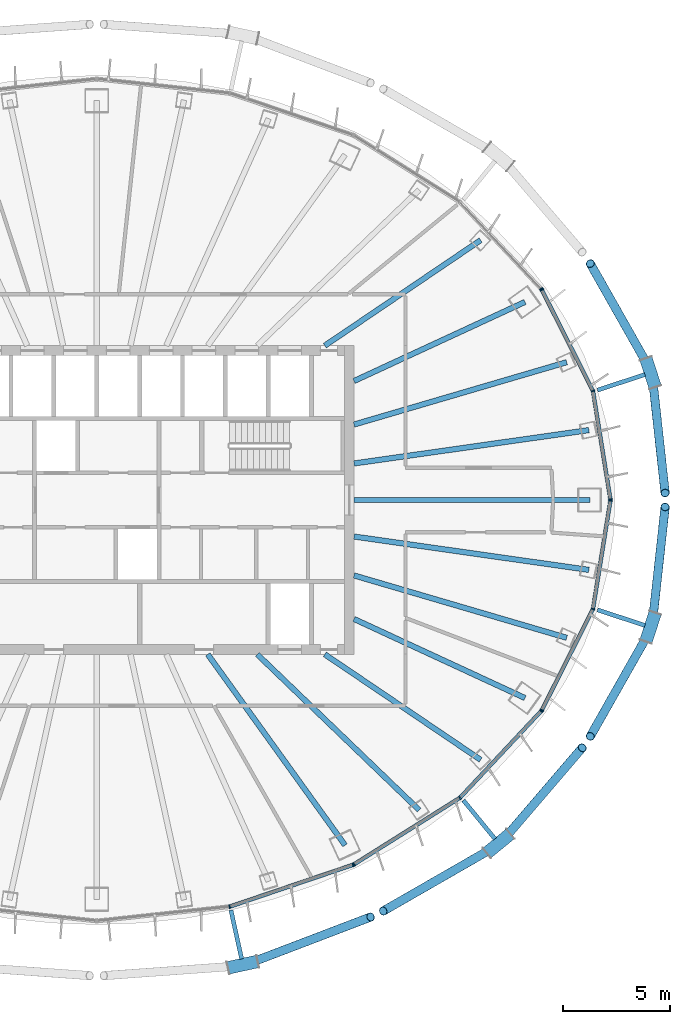
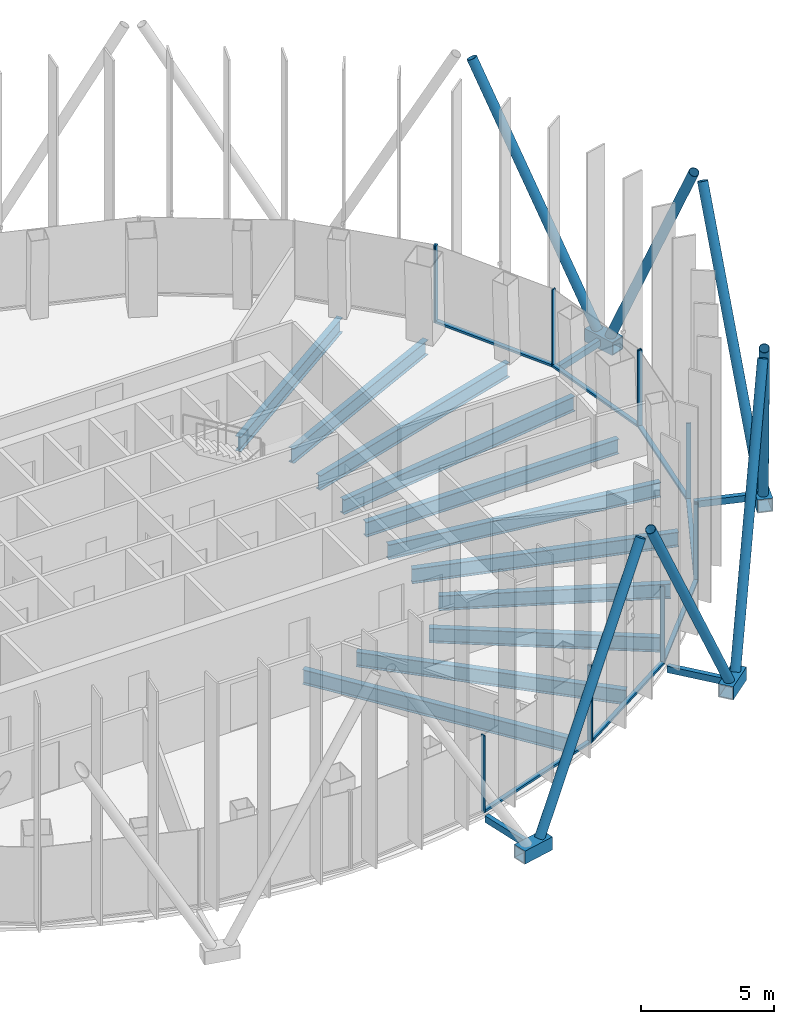
# One storey, part 5 of 18: 34 members, 11 beams, 5 elements without a shape of their own.
"""IFC4 building model written with IfcOpenShell, lengths in metres."""

import ifcopenshell
import ifcopenshell.guid

model = None  # the IFC model being written
_history = None  # IfcOwnerHistory: only IFC2X3 demands one
_inside = {}  # id of a spatial element -> (the spatial element, [elements in it])
_under = {}  # id of a project, library or spatial element -> (it, [spatial elements below it])
_declared = {}  # id of a project -> (the project, [libraries it declares])
_typed = {}  # id of a type object -> (the type object, [elements of that type])
_made_of = {}  # id of a material, layer set ... -> (it, [elements and type objects made of it])


def new_model(schema):
    """Start an empty IFC model of exactly this schema.

    Asked for "IFC4X3", IfcOpenShell would pick the latest addendum, in which some entities
    have other attributes; the version numbers below select the first issue.
    IFC2X3 requires an IfcOwnerHistory on every rooted entity: one is made here for all.
    """
    global model, _history
    if schema == "IFC4X3":
        model = ifcopenshell.file(schema_version=(4, 3, 0, 0))
    else:
        model = ifcopenshell.file(schema=schema)
    _inside.clear()
    _under.clear()
    _declared.clear()
    _typed.clear()
    _made_of.clear()
    _history = None
    if model.schema == "IFC2X3":
        org = make("IfcOrganization", Name="unknown")
        user = make(
            "IfcPersonAndOrganization",
            ThePerson=make("IfcPerson", FamilyName="unknown"),
            TheOrganization=org,
        )
        app = make(
            "IfcApplication",
            ApplicationDeveloper=org,
            Version="unknown",
            ApplicationFullName="unknown",
            ApplicationIdentifier="unknown",
        )
        _history = make(
            "IfcOwnerHistory",
            OwningUser=user,
            OwningApplication=app,
            ChangeAction="ADDED",
            CreationDate=0,
        )
    return model


def make(cls, **values):
    """One entity of the class cls with the attributes given. An attribute that is None is left unset."""
    return model.create_entity(
        cls, **{name: value for name, value in values.items() if value is not None}
    )


def rooted(cls, **values):
    """An entity with a GlobalId (a new one), such as an element, a storey or a relation."""
    return make(cls, GlobalId=ifcopenshell.guid.new(), OwnerHistory=_history, **values)


def si_unit(unit_type, name, prefix=None):
    """IfcSIUnit, for example si_unit("LENGTHUNIT", "METRE", prefix="MILLI")."""
    return make("IfcSIUnit", UnitType=unit_type, Prefix=prefix, Name=name)


def assignment(units):
    """IfcUnitAssignment: the units of a project."""
    return None if units is None else make("IfcUnitAssignment", Units=units)


def point(xyz):
    """IfcCartesianPoint."""
    return None if xyz is None else make("IfcCartesianPoint", Coordinates=xyz)


def direction(xyz):
    """IfcDirection."""
    return None if xyz is None else make("IfcDirection", DirectionRatios=xyz)


def frame(location, z_axis=None, x_axis=None):
    """IfcAxis2Placement3D, a coordinate frame: its origin and axes. An axis left out is left unset."""
    return make(
        "IfcAxis2Placement3D",
        Location=point(location),
        Axis=direction(z_axis),
        RefDirection=direction(x_axis),
    )


def frame_2d(location, x_axis=None):
    """IfcAxis2Placement2D, a coordinate frame in the plane: its origin and x axis."""
    return make(
        "IfcAxis2Placement2D", Location=point(location), RefDirection=direction(x_axis)
    )


def origin():
    """The frame at (0, 0, 0) with its axes left unset."""
    return frame((0.0, 0.0, 0.0))


def origin_2d():
    """The frame at (0, 0) in the plane with its x axis left unset."""
    return frame_2d((0.0, 0.0))


def place(relative_to, where):
    """IfcLocalPlacement: puts the frame where relative to a parent placement (None: the world)."""
    return make(
        "IfcLocalPlacement", PlacementRelTo=relative_to, RelativePlacement=where
    )


def context(
    kind, dimensions, precision=None, world=None, true_north=None, identifier=None
):
    """IfcGeometricRepresentationContext, for example the 3D "Model" context."""
    return make(
        "IfcGeometricRepresentationContext",
        ContextIdentifier=identifier,
        ContextType=kind,
        CoordinateSpaceDimension=dimensions,
        Precision=precision,
        WorldCoordinateSystem=world,
        TrueNorth=true_north,
    )


def subcontext(parent, identifier, kind, view, scale=None):
    """IfcGeometricRepresentationSubContext, for example "Body" below "Model"."""
    return make(
        "IfcGeometricRepresentationSubContext",
        ContextIdentifier=identifier,
        ContextType=kind,
        ParentContext=parent,
        TargetScale=scale,
        TargetView=view,
    )


def project(units=None, contexts=None):
    """IfcProject with its units and contexts."""
    return rooted(
        "IfcProject",
        Name="project",
        RepresentationContexts=contexts,
        UnitsInContext=assignment(units),
    )


def spatial(cls, under=None, at=None, **own):
    """A site, building, storey or space (cls), placed at a placement, below another one or the project."""
    s = rooted(cls, ObjectPlacement=at, **own)
    if under is not None:
        _under.setdefault(under.id(), (under, []))[1].append(s)
    return s


def profile(cls, at=None, kind="AREA", **sizes):
    """A parametric profile (cls). Its sizes go by their IFC names, for example OverallWidth=200.0."""
    return make(cls, ProfileType=kind, Position=at, **sizes)


def rectangle(**sizes):
    """IfcRectangleProfileDef."""
    return profile("IfcRectangleProfileDef", **sizes)


def hollow_rectangle(**sizes):
    """IfcRectangleHollowProfileDef."""
    return profile("IfcRectangleHollowProfileDef", **sizes)


def hollow_circle(**sizes):
    """IfcCircleHollowProfileDef."""
    return profile("IfcCircleHollowProfileDef", **sizes)


def i_section(**sizes):
    """IfcIShapeProfileDef."""
    return profile("IfcIShapeProfileDef", **sizes)


def extrude(swept, where, along, depth):
    """IfcExtrudedAreaSolid: the profile swept, set in the frame where, extruded along a direction by depth."""
    return make(
        "IfcExtrudedAreaSolid",
        SweptArea=swept,
        Position=where,
        ExtrudedDirection=direction(along),
        Depth=depth,
    )


def shape(context_of_items, identifier, shape_type, items):
    """IfcShapeRepresentation: the items that make up one representation, for example the "Body"."""
    return make(
        "IfcShapeRepresentation",
        ContextOfItems=context_of_items,
        RepresentationIdentifier=identifier,
        RepresentationType=shape_type,
        Items=items,
    )


def material(Name=None, Category=None):
    """IfcMaterial."""
    return make("IfcMaterial", Name=Name, Category=Category)


def layer(
    of_material, thickness, ventilated=None, Name=None, Category=None, Priority=None
):
    """IfcMaterialLayer: one layer of a wall or slab, of a material (None: an air gap)."""
    return make(
        "IfcMaterialLayer",
        Material=of_material,
        LayerThickness=thickness,
        IsVentilated=ventilated,
        Name=Name,
        Category=Category,
        Priority=Priority,
    )


def layer_set(layers, Name=None):
    """IfcMaterialLayerSet."""
    return make("IfcMaterialLayerSet", MaterialLayers=layers, LayerSetName=Name)


def material_profile(
    of_material, cross_section, Name=None, Category=None, Priority=None
):
    """IfcMaterialProfile: a cross section and its material."""
    return make(
        "IfcMaterialProfile",
        Name=Name,
        Material=of_material,
        Profile=cross_section,
        Priority=Priority,
        Category=Category,
    )


def profile_set(profiles, Name=None, composite=None):
    """IfcMaterialProfileSet."""
    return make(
        "IfcMaterialProfileSet",
        Name=Name,
        MaterialProfiles=profiles,
        CompositeProfile=composite,
    )


def made_of(thing, what):
    """Note that an element or type object is made of a material, layer set ...; save() writes the relation."""
    if what is not None:
        _made_of.setdefault(what.id(), (what, []))[1].append(thing)
    return thing


def type_object(cls, material=None, **own):
    """A type object (cls), such as IfcWallType, which elements share."""
    return made_of(rooted(cls, **own), material)


def element(
    cls,
    number,
    at=None,
    inside=None,
    cuts=None,
    type_object=None,
    material=None,
    context=None,
    identifier="Body",
    shape_type=None,
    held_by="IfcProductDefinitionShape",
    body=None,
    shapes=None,
    **own,
):
    """One element of the class cls, such as IfcWall. Its Tag is "e" and its number.

    at: its placement. inside: the storey or other place that contains it. cuts: it is an
    opening in that element (IfcRelVoidsElement). A single representation is given by context,
    identifier, shape_type and body (its items); several are given by shapes. held_by: the class
    of the entity that holds the representations. save() writes the other relations.
    """
    e = rooted(cls, Tag="e%d" % number, ObjectPlacement=at, **own)
    if body is not None:
        shapes = [shape(context, identifier, shape_type, body)]
    if shapes is not None:
        e.Representation = make(held_by, Representations=shapes)
    if inside is not None:
        _inside.setdefault(inside.id(), (inside, []))[1].append(e)
    if cuts is not None:
        rooted(
            "IfcRelVoidsElement", RelatingBuildingElement=cuts, RelatedOpeningElement=e
        )
    if type_object is not None:
        _typed.setdefault(type_object.id(), (type_object, []))[1].append(e)
    return made_of(e, material)


def aggregate(whole, parts):
    """IfcRelAggregates: a whole, such as a stair, and the parts it consists of."""
    return rooted("IfcRelAggregates", RelatingObject=whole, RelatedObjects=parts)


def save(model, path):
    """Write the relations noted so far, then the file.

    IfcRelAggregates (storeys below a building ...), IfcRelContainedInSpatialStructure (elements
    in a storey), IfcRelDefinesByType, IfcRelAssociatesMaterial and IfcRelDeclares: one each for
    every whole, place, type object, material and project.
    """
    for whole, parts in _under.values():
        aggregate(whole, parts)
    for where, things in _inside.values():
        rooted(
            "IfcRelContainedInSpatialStructure",
            RelatedElements=things,
            RelatingStructure=where,
        )
    for kind, things in _typed.values():
        rooted("IfcRelDefinesByType", RelatedObjects=things, RelatingType=kind)
    for what, things in _made_of.values():
        rooted("IfcRelAssociatesMaterial", RelatedObjects=things, RelatingMaterial=what)
    for by, libraries in _declared.values():
        rooted("IfcRelDeclares", RelatingContext=by, RelatedDefinitions=libraries)
    model.write(path)


model = new_model("IFC4")

# Units and contexts
model_context = context("Model", 3, precision=1e-05, world=origin(), true_north=direction((0.0, 1.0)))
body_context = subcontext(model_context, "Body", "Model", "MODEL_VIEW")
ifc_project = project(units=[si_unit("LENGTHUNIT", "METRE"), si_unit("AREAUNIT", "SQUARE_METRE"), si_unit("VOLUMEUNIT", "CUBIC_METRE"), si_unit("PLANEANGLEUNIT", "RADIAN"), si_unit("MASSUNIT", "GRAM", prefix="KILO")], contexts=[model_context])

# Site, building, storey
site_placement = place(None, origin())
site = spatial("IfcSite", under=ifc_project, at=site_placement, CompositionType="ELEMENT")
building_placement = place(site_placement, origin())
building = spatial("IfcBuilding", under=site, at=building_placement, Name="Siaravel Broadcast Tower", CompositionType="ELEMENT")
storey_placement = place(building_placement, frame((0.0, 0.0, 157.10009765625)))
storey = spatial("IfcBuildingStorey", under=building, at=storey_placement, Name="L37", CompositionType="ELEMENT", Elevation=157.10009765625)

# Beams
ifc_material_1 = material(Name="Steel S355", Category="steel")
ifc_material_profile_1 = material_profile(ifc_material_1, i_section(OverallWidth=0.2529296875, OverallDepth=0.677978515625, WebThickness=0.01171875, FlangeThickness=0.01611328125, FilletRadius=0.01513671875, at=origin_2d()))
ifc_profile_set_1 = profile_set([ifc_material_profile_1], Name="Steel S355")
beam_type = type_object("IfcBeamType", Name="BM-UB 686x254x125", PredefinedType="BEAM", material=ifc_profile_set_1)
beam_1_placement = place(storey_placement, frame((23.0048828125, 0.0, -0.489013671875), z_axis=(-1.0, 0.0, 0.0), x_axis=(0.0, -1.0, 0.0)))
element("IfcBeam", 1, at=beam_1_placement, inside=storey, type_object=beam_type, Name="Radial beam RB01", PredefinedType="BEAM", context=body_context, shape_type="SweptSolid", body=[
    extrude(i_section(OverallWidth=0.2529296875, OverallDepth=0.677978515625, WebThickness=0.01171875, FlangeThickness=0.01611328125, FilletRadius=0.01513671875, at=origin_2d()), origin(), (0.0, 0.0, 1.0), 11.0048828125),
])
beam_2_placement = place(storey_placement, frame((22.95654296875, 3.26025390625, -0.489013671875), z_axis=(-0.990063886, -0.140618281, 0.0), x_axis=(0.140618281, -0.990063886, 0.0)))
element("IfcBeam", 2, at=beam_2_placement, inside=storey, type_object=beam_type, Name="Radial beam RB02", PredefinedType="BEAM", context=body_context, shape_type="SweptSolid", body=[
    extrude(i_section(OverallWidth=0.2529296875, OverallDepth=0.677978515625, WebThickness=0.01171875, FlangeThickness=0.01611328125, FilletRadius=0.01513671875, at=origin_2d()), origin(), (0.0, 0.0, 1.0), 11.06640625),
])
beam_3_placement = place(storey_placement, frame((21.920166015625, 6.42822265625, -0.489013671875), z_axis=(-0.9595882, -0.281408043, 0.0), x_axis=(0.281408043, -0.9595882, 0.0)))
element("IfcBeam", 3, at=beam_3_placement, inside=storey, type_object=beam_type, Name="Radial beam RB03", PredefinedType="BEAM", context=body_context, shape_type="SweptSolid", body=[
    extrude(i_section(OverallWidth=0.2529296875, OverallDepth=0.677978515625, WebThickness=0.01171875, FlangeThickness=0.01611328125, FilletRadius=0.01513671875, at=origin_2d()), origin(), (0.0, 0.0, 1.0), 10.337890625),
])
beam_4_placement = place(storey_placement, frame((19.976318359375, 9.238525390625, -0.489013671875), z_axis=(-0.907641197, -0.419746896, 0.0), x_axis=(0.419746896, -0.907641197, 0.0)))
element("IfcBeam", 4, at=beam_4_placement, inside=storey, type_object=beam_type, Name="Radial beam RB04", PredefinedType="BEAM", context=body_context, shape_type="SweptSolid", body=[
    extrude(i_section(OverallWidth=0.2529296875, OverallDepth=0.677978515625, WebThickness=0.01171875, FlangeThickness=0.01611328125, FilletRadius=0.01513671875, at=origin_2d()), origin(), (0.0, 0.0, 1.0), 8.7880859375),
])
beam_5_placement = place(storey_placement, frame((17.906494140625, 12.119140625, -0.489013671875), z_axis=(-0.82815695, -0.560496268, 0.0), x_axis=(0.560496268, -0.82815695, 0.0)))
element("IfcBeam", 5, at=beam_5_placement, inside=storey, type_object=beam_type, Name="Radial beam RB05", PredefinedType="BEAM", context=body_context, shape_type="SweptSolid", body=[
    extrude(i_section(OverallWidth=0.2529296875, OverallDepth=0.677978515625, WebThickness=0.01171875, FlangeThickness=0.01611328125, FilletRadius=0.01513671875, at=origin_2d()), origin(), (0.0, 0.0, 1.0), 8.7763671875),
])
beam_6_placement = place(storey_placement, frame((11.582275390625, -16.10498046875, -0.489013671875), z_axis=(-0.58386488, 0.81185085, 0.0), x_axis=(-0.81185085, -0.58386488, 0.0)))
element("IfcBeam", 6, at=beam_6_placement, inside=storey, type_object=beam_type, Name="Radial beam RB31", PredefinedType="BEAM", context=body_context, shape_type="SweptSolid", body=[
    extrude(i_section(OverallWidth=0.2529296875, OverallDepth=0.677978515625, WebThickness=0.01171875, FlangeThickness=0.01611328125, FilletRadius=0.01513671875, at=origin_2d()), origin(), (0.0, 0.0, 1.0), 10.96875),
])
beam_7_placement = place(storey_placement, frame((15.041259765625, -14.466064453125, -0.489013671875), z_axis=(-0.720749365, 0.693195754, 0.0), x_axis=(-0.693195754, -0.720749365, 0.0)))
element("IfcBeam", 7, at=beam_7_placement, inside=storey, type_object=beam_type, Name="Radial beam RB32", PredefinedType="BEAM", context=body_context, shape_type="SweptSolid", body=[
    extrude(i_section(OverallWidth=0.2529296875, OverallDepth=0.677978515625, WebThickness=0.01171875, FlangeThickness=0.01611328125, FilletRadius=0.01513671875, at=origin_2d()), origin(), (0.0, 0.0, 1.0), 10.48193359375),
])
beam_8_placement = place(storey_placement, frame((17.906494140625, -12.119140625, -0.489013671875), z_axis=(-0.82815695, 0.560496268, 0.0), x_axis=(-0.560496268, -0.82815695, 0.0)))
element("IfcBeam", 8, at=beam_8_placement, inside=storey, type_object=beam_type, Name="Radial beam RB33", PredefinedType="BEAM", context=body_context, shape_type="SweptSolid", body=[
    extrude(i_section(OverallWidth=0.2529296875, OverallDepth=0.677978515625, WebThickness=0.01171875, FlangeThickness=0.01611328125, FilletRadius=0.01513671875, at=origin_2d()), origin(), (0.0, 0.0, 1.0), 8.7763671875),
])
beam_9_placement = place(storey_placement, frame((19.976318359375, -9.238525390625, -0.489013671875), z_axis=(-0.907641197, 0.419746896, 0.0), x_axis=(-0.419746896, -0.907641197, 0.0)))
element("IfcBeam", 9, at=beam_9_placement, inside=storey, type_object=beam_type, Name="Radial beam RB34", PredefinedType="BEAM", context=body_context, shape_type="SweptSolid", body=[
    extrude(i_section(OverallWidth=0.2529296875, OverallDepth=0.677978515625, WebThickness=0.01171875, FlangeThickness=0.01611328125, FilletRadius=0.01513671875, at=origin_2d()), origin(), (0.0, 0.0, 1.0), 8.7880859375),
])
beam_10_placement = place(storey_placement, frame((21.920166015625, -6.42822265625, -0.489013671875), z_axis=(-0.9595882, 0.281408043, 0.0), x_axis=(-0.281408043, -0.9595882, 0.0)))
element("IfcBeam", 10, at=beam_10_placement, inside=storey, type_object=beam_type, Name="Radial beam RB35", PredefinedType="BEAM", context=body_context, shape_type="SweptSolid", body=[
    extrude(i_section(OverallWidth=0.2529296875, OverallDepth=0.677978515625, WebThickness=0.01171875, FlangeThickness=0.01611328125, FilletRadius=0.01513671875, at=origin_2d()), origin(), (0.0, 0.0, 1.0), 10.337890625),
])
beam_11_placement = place(storey_placement, frame((22.95654296875, -3.26025390625, -0.489013671875), z_axis=(-0.990063886, 0.140618281, 0.0), x_axis=(-0.140618281, -0.990063886, 0.0)))
element("IfcBeam", 11, at=beam_11_placement, inside=storey, type_object=beam_type, Name="Radial beam RB36", PredefinedType="BEAM", context=body_context, shape_type="SweptSolid", body=[
    extrude(i_section(OverallWidth=0.2529296875, OverallDepth=0.677978515625, WebThickness=0.01171875, FlangeThickness=0.01611328125, FilletRadius=0.01513671875, at=origin_2d()), origin(), (0.0, 0.0, 1.0), 11.06640625),
])

# Curtain wall, members
ifc_material_2 = material(Name="Aluminium 6063-T6", Category="aluminium")
ifc_layer = layer(ifc_material_2, 0.179931640625)
ifc_layer_set = layer_set([ifc_layer], Name="Aluminium 6063-T6")
curtain_wall_type = type_object("IfcCurtainWallType", Name="Unitised curtain wall, zone 3", PredefinedType="NOTDEFINED", material=ifc_layer_set)
curtain_wall_1_placement = place(storey_placement, origin())
curtain_wall_1 = element("IfcCurtainWall", 12, at=curtain_wall_1_placement, inside=storey, type_object=curtain_wall_type, Name="L37 Unitised curtain wall, zone 3 01", PredefinedType="NOTDEFINED")
ifc_material_profile_2 = material_profile(ifc_material_2, rectangle(XDim=0.179931640625, YDim=0.06005859375, at=origin_2d()))
ifc_profile_set_2 = profile_set([ifc_material_profile_2], Name="Aluminium 6063-T6")
member_type_1 = type_object("IfcMemberType", Name="CW-Z3 mullion", PredefinedType="MULLION", material=ifc_profile_set_2)
member_1_placement = place(storey_placement, frame((23.9580078125, 0.029541015625, 0.0), z_axis=(0.0, 0.0, 1.0), x_axis=(-0.987329251, -0.158685063, 0.0)))
member_1 = element("IfcMember", 13, at=member_1_placement, type_object=member_type_1, Name="CW-Z3 mullion 1", PredefinedType="MULLION", context=body_context, shape_type="SweptSolid", body=[
    extrude(rectangle(XDim=0.179931640625, YDim=0.06005859375, at=origin_2d()), origin(), (0.0, 0.0, 1.0), 3.5498046875),
])
member_2_placement = place(storey_placement, frame((23.1455078125, 5.085205078125, 0.0), z_axis=(0.0, 0.0, 1.0), x_axis=(-0.951177457, -0.30864453, 0.0)))
member_2 = element("IfcMember", 14, at=member_2_placement, type_object=member_type_1, Name="CW-Z3 mullion 2", PredefinedType="MULLION", context=body_context, shape_type="SweptSolid", body=[
    extrude(rectangle(XDim=0.179931640625, YDim=0.06005859375, at=origin_2d()), origin(), (0.0, 0.0, 1.0), 3.5498046875),
])
member_3_placement = place(storey_placement, frame((20.763427734375, 9.795654296875, 0.0), z_axis=(0.0, 0.0, 1.0), x_axis=(-0.89239259, -0.451259864, 0.0)))
member_3 = element("IfcMember", 15, at=member_3_placement, type_object=member_type_1, Name="CW-Z3 mullion 3", PredefinedType="MULLION", context=body_context, shape_type="SweptSolid", body=[
    extrude(rectangle(XDim=0.179931640625, YDim=0.06005859375, at=origin_2d()), origin(), (0.0, 0.0, 1.0), 3.5498046875),
])

# Curtain wall, member
curtain_wall_2_placement = place(storey_placement, origin())
curtain_wall_2 = element("IfcCurtainWall", 16, at=curtain_wall_2_placement, inside=storey, type_object=curtain_wall_type, Name="L37 Unitised curtain wall, zone 3 02", PredefinedType="NOTDEFINED")
member_4_placement = place(storey_placement, frame((20.7294921875, 9.844482421875, 0.0), z_axis=(0.0, 0.0, 1.0), x_axis=(-0.729806172, -0.683654117, 0.0)))
member_4 = element("IfcMember", 17, at=member_4_placement, type_object=member_type_1, Name="CW-Z3 mullion 1", PredefinedType="MULLION", context=body_context, shape_type="SweptSolid", body=[
    extrude(rectangle(XDim=0.179931640625, YDim=0.06005859375, at=origin_2d()), origin(), (0.0, 0.0, 1.0), 3.5498046875),
])
aggregate(curtain_wall_2, [member_4])

# Curtain wall, members
curtain_wall_3_placement = place(storey_placement, origin())
curtain_wall_3 = element("IfcCurtainWall", 18, at=curtain_wall_3_placement, inside=storey, type_object=curtain_wall_type, Name="L37 Unitised curtain wall, zone 3 10", PredefinedType="NOTDEFINED")
member_5_placement = place(storey_placement, frame((6.19970703125, -18.96875, 0.0), z_axis=(0.0, 0.0, 1.0), x_axis=(-0.215558612, 0.976490903, 0.0)))
member_5 = element("IfcMember", 19, at=member_5_placement, type_object=member_type_1, Name="CW-Z3 mullion 2", PredefinedType="MULLION", context=body_context, shape_type="SweptSolid", body=[
    extrude(rectangle(XDim=0.179931640625, YDim=0.06005859375, at=origin_2d()), origin(), (0.0, 0.0, 1.0), 3.5498046875),
])
member_6_placement = place(storey_placement, frame((11.949462890625, -17.017822265625, 0.0), z_axis=(0.0, 0.0, 1.0), x_axis=(-0.321301405, 0.946976983, 0.0)))
member_6 = element("IfcMember", 20, at=member_6_placement, type_object=member_type_1, Name="CW-Z3 mullion 3", PredefinedType="MULLION", context=body_context, shape_type="SweptSolid", body=[
    extrude(rectangle(XDim=0.179931640625, YDim=0.06005859375, at=origin_2d()), origin(), (0.0, 0.0, 1.0), 3.5498046875),
])

curtain_wall_4_placement = place(storey_placement, origin())
curtain_wall_4 = element("IfcCurtainWall", 21, at=curtain_wall_4_placement, inside=storey, type_object=curtain_wall_type, Name="L37 Unitised curtain wall, zone 3 11", PredefinedType="NOTDEFINED")
member_7_placement = place(storey_placement, frame((12.003173828125, -16.9921875, 0.0), z_axis=(0.0, 0.0, 1.0), x_axis=(-0.532150259, 0.846649928, 0.0)))
member_7 = element("IfcMember", 22, at=member_7_placement, type_object=member_type_1, Name="CW-Z3 mullion 1", PredefinedType="MULLION", context=body_context, shape_type="SweptSolid", body=[
    extrude(rectangle(XDim=0.179931640625, YDim=0.06005859375, at=origin_2d()), origin(), (0.0, 0.0, 1.0), 3.5498046875),
])
member_8_placement = place(storey_placement, frame((16.940673828125, -13.888916015625, 0.0), z_axis=(0.0, 0.0, 1.0), x_axis=(-0.63621963, 0.771507993, 0.0)))
member_8 = element("IfcMember", 23, at=member_8_placement, type_object=member_type_1, Name="CW-Z3 mullion 2", PredefinedType="MULLION", context=body_context, shape_type="SweptSolid", body=[
    extrude(rectangle(XDim=0.179931640625, YDim=0.06005859375, at=origin_2d()), origin(), (0.0, 0.0, 1.0), 3.5498046875),
])
member_9_placement = place(storey_placement, frame((20.7294921875, -9.844482421875, 0.0), z_axis=(0.0, 0.0, 1.0), x_axis=(-0.729806172, 0.683654117, 0.0)))
member_9 = element("IfcMember", 24, at=member_9_placement, type_object=member_type_1, Name="CW-Z3 mullion 3", PredefinedType="MULLION", context=body_context, shape_type="SweptSolid", body=[
    extrude(rectangle(XDim=0.179931640625, YDim=0.06005859375, at=origin_2d()), origin(), (0.0, 0.0, 1.0), 3.5498046875),
])

curtain_wall_5_placement = place(storey_placement, origin())
curtain_wall_5 = element("IfcCurtainWall", 25, at=curtain_wall_5_placement, inside=storey, type_object=curtain_wall_type, Name="L37 Unitised curtain wall, zone 3 12", PredefinedType="NOTDEFINED")
member_10_placement = place(storey_placement, frame((20.763427734375, -9.795654296875, 0.0), z_axis=(0.0, 0.0, 1.0), x_axis=(-0.89239259, 0.451259864, 0.0)))
member_10 = element("IfcMember", 26, at=member_10_placement, type_object=member_type_1, Name="CW-Z3 mullion 1", PredefinedType="MULLION", context=body_context, shape_type="SweptSolid", body=[
    extrude(rectangle(XDim=0.179931640625, YDim=0.06005859375, at=origin_2d()), origin(), (0.0, 0.0, 1.0), 3.5498046875),
])
member_11_placement = place(storey_placement, frame((23.1455078125, -5.085205078125, 0.0), z_axis=(0.0, 0.0, 1.0), x_axis=(-0.951177457, 0.30864453, 0.0)))
member_11 = element("IfcMember", 27, at=member_11_placement, type_object=member_type_1, Name="CW-Z3 mullion 2", PredefinedType="MULLION", context=body_context, shape_type="SweptSolid", body=[
    extrude(rectangle(XDim=0.179931640625, YDim=0.06005859375, at=origin_2d()), origin(), (0.0, 0.0, 1.0), 3.5498046875),
])
member_12_placement = place(storey_placement, frame((23.9580078125, -0.029541015625, 0.0), z_axis=(0.0, 0.0, 1.0), x_axis=(-0.987329251, 0.158685063, 0.0)))
member_12 = element("IfcMember", 28, at=member_12_placement, type_object=member_type_1, Name="CW-Z3 mullion 3", PredefinedType="MULLION", context=body_context, shape_type="SweptSolid", body=[
    extrude(rectangle(XDim=0.179931640625, YDim=0.06005859375, at=origin_2d()), origin(), (0.0, 0.0, 1.0), 3.5498046875),
])

# Member
ifc_material_profile_3 = material_profile(ifc_material_2, rectangle(XDim=0.179931640625, YDim=0.10009765625, at=origin_2d()))
ifc_profile_set_3 = profile_set([ifc_material_profile_3], Name="Aluminium 6063-T6")
member_type_2 = type_object("IfcMemberType", Name="CW-Z3 transom", PredefinedType="USERDEFINED", material=ifc_profile_set_3)
member_13_placement = place(storey_placement, frame((23.953369140625, 0.05908203125, 0.0498046875), z_axis=(-0.158677256, 0.987330506, 0.0), x_axis=(-0.987330506, -0.158677256, 0.0)))
member_13 = element("IfcMember", 29, at=member_13_placement, type_object=member_type_2, Name="CW-Z3 transom 1", ObjectType="TRANSOM", PredefinedType="USERDEFINED", context=body_context, shape_type="SweptSolid", body=[
    extrude(rectangle(XDim=0.179931640625, YDim=0.10009765625, at=origin_2d()), origin(), (0.0, 0.0, 1.0), 5.060546875),
])

member_14_placement = place(storey_placement, frame((23.132080078125, 5.11181640625, 0.0498046875), z_axis=(-0.451269759, 0.892387586, 0.0), x_axis=(-0.892387586, -0.451269759, 0.0)))
member_14 = element("IfcMember", 30, at=member_14_placement, type_object=member_type_2, Name="CW-Z3 transom 2", ObjectType="TRANSOM", PredefinedType="USERDEFINED", context=body_context, shape_type="SweptSolid", body=[
    extrude(rectangle(XDim=0.179931640625, YDim=0.10009765625, at=origin_2d()), origin(), (0.0, 0.0, 1.0), 5.218505859375),
])

aggregate(curtain_wall_1, [member_1, member_2, member_3, member_13, member_14])

member_15_placement = place(storey_placement, frame((6.228271484375, -18.958984375, 0.0498046875), z_axis=(0.946980245, 0.321291792, 0.0), x_axis=(-0.321291792, 0.946980245, 0.0)))
member_15 = element("IfcMember", 31, at=member_15_placement, type_object=member_type_2, Name="CW-Z3 transom 2", ObjectType="TRANSOM", PredefinedType="USERDEFINED", context=body_context, shape_type="SweptSolid", body=[
    extrude(rectangle(XDim=0.179931640625, YDim=0.10009765625, at=origin_2d()), origin(), (0.0, 0.0, 1.0), 6.01123046875),
])

aggregate(curtain_wall_3, [member_5, member_6, member_15])

member_16_placement = place(storey_placement, frame((12.028564453125, -16.976318359375, 0.0498046875), z_axis=(0.846664863, 0.532126498, 0.0), x_axis=(-0.532126498, 0.846664863, 0.0)))
member_16 = element("IfcMember", 32, at=member_16_placement, type_object=member_type_2, Name="CW-Z3 transom 1", ObjectType="TRANSOM", PredefinedType="USERDEFINED", context=body_context, shape_type="SweptSolid", body=[
    extrude(rectangle(XDim=0.179931640625, YDim=0.10009765625, at=origin_2d()), origin(), (0.0, 0.0, 1.0), 5.771728515625),
])

member_17_placement = place(storey_placement, frame((16.961181640625, -13.8671875, 0.0498046875), z_axis=(0.68363887, 0.729820454, 0.0), x_axis=(-0.729820454, 0.68363887, 0.0)))
member_17 = element("IfcMember", 33, at=member_17_placement, type_object=member_type_2, Name="CW-Z3 transom 2", ObjectType="TRANSOM", PredefinedType="USERDEFINED", context=body_context, shape_type="SweptSolid", body=[
    extrude(rectangle(XDim=0.179931640625, YDim=0.10009765625, at=origin_2d()), origin(), (0.0, 0.0, 1.0), 5.482177734375),
])

aggregate(curtain_wall_4, [member_7, member_8, member_9, member_16, member_17])

member_18_placement = place(storey_placement, frame((20.777099609375, -9.768798828125, 0.0498046875), z_axis=(0.451269759, 0.892387586, 0.0), x_axis=(-0.892387586, 0.451269759, 0.0)))
member_18 = element("IfcMember", 34, at=member_18_placement, type_object=member_type_2, Name="CW-Z3 transom 1", ObjectType="TRANSOM", PredefinedType="USERDEFINED", context=body_context, shape_type="SweptSolid", body=[
    extrude(rectangle(XDim=0.179931640625, YDim=0.10009765625, at=origin_2d()), origin(), (0.0, 0.0, 1.0), 5.218505859375),
])

member_19_placement = place(storey_placement, frame((23.150390625, -5.055419921875, 0.0498046875), z_axis=(0.158677256, 0.987330506, 0.0), x_axis=(-0.987330506, 0.158677256, 0.0)))
member_19 = element("IfcMember", 35, at=member_19_placement, type_object=member_type_2, Name="CW-Z3 transom 2", ObjectType="TRANSOM", PredefinedType="USERDEFINED", context=body_context, shape_type="SweptSolid", body=[
    extrude(rectangle(XDim=0.179931640625, YDim=0.10009765625, at=origin_2d()), origin(), (0.0, 0.0, 1.0), 5.060546875),
])

aggregate(curtain_wall_5, [member_10, member_11, member_12, member_18, member_19])

# Members
ifc_material_3 = material(Name="Steel S460", Category="steel")
ifc_material_profile_4 = material_profile(ifc_material_3, hollow_circle(Radius=0.203125, WallThickness=0.01611328125, at=origin_2d()))
ifc_profile_set_4 = profile_set([ifc_material_profile_4], Name="Steel S460")
member_type_3 = type_object("IfcMemberType", Name="Diagrid diagonal CHS 406.4x16", PredefinedType="BRACE", material=ifc_profile_set_4)
member_20_placement = place(storey_placement, frame((25.930419921875, 5.627685546875, 0.06982421875), z_axis=(0.049213289, -0.448305208, 0.892524785), x_axis=(0.994028499, 0.109120776, 0.0)))
element("IfcMember", 36, at=member_20_placement, inside=storey, type_object=member_type_3, Name="Diagrid diagonal R16 station 03C", PredefinedType="BRACE", context=body_context, shape_type="SweptSolid", body=[
    extrude(hollow_circle(Radius=0.203125, WallThickness=0.01611328125, at=origin_2d()), origin(), (0.0, 0.0, 1.0), 11.831787109375),
])
member_21_placement = place(storey_placement, frame((25.729248046875, 6.24267578125, 0.06982421875), z_axis=(-0.227518555, 0.401864003, 0.886984008), x_axis=(-0.870211955, -0.492677534, 0.0)))
element("IfcMember", 37, at=member_21_placement, inside=storey, type_object=member_type_3, Name="Diagrid diagonal R16 station 03A", PredefinedType="BRACE", context=body_context, shape_type="SweptSolid", body=[
    extrude(hollow_circle(Radius=0.203125, WallThickness=0.01611328125, at=origin_2d()), origin(), (0.0, 0.0, 1.0), 11.905517578125),
])
member_22_placement = place(storey_placement, frame((7.13232421875, -21.603515625, 0.06982421875), z_axis=(0.463875275, 0.176868253, 0.868065291), x_axis=(-0.35626596, 0.934384592, 0.0)))
element("IfcMember", 38, at=member_22_placement, inside=storey, type_object=member_type_3, Name="Diagrid diagonal R16 station 57A", PredefinedType="BRACE", context=body_context, shape_type="SweptSolid", body=[
    extrude(hollow_circle(Radius=0.203125, WallThickness=0.01611328125, at=origin_2d()), origin(), (0.0, 0.0, 1.0), 12.1650390625),
])
member_23_placement = place(storey_placement, frame((18.4970703125, -16.222900390625, 0.06982421875), z_axis=(-0.424221935, -0.2438268, 0.87211481), x_axis=(0.498316276, -0.866995323, 0.0)))
element("IfcMember", 39, at=member_23_placement, inside=storey, type_object=member_type_3, Name="Diagrid diagonal R16 station 63C", PredefinedType="BRACE", context=body_context, shape_type="SweptSolid", body=[
    extrude(hollow_circle(Radius=0.203125, WallThickness=0.01611328125, at=origin_2d()), origin(), (0.0, 0.0, 1.0), 12.108642578125),
])
member_24_placement = place(storey_placement, frame((18.997802734375, -15.81298828125, 0.06982421875), z_axis=(0.305263553, 0.356045523, 0.883201987), x_axis=(-0.759170544, 0.650891761, 0.0)))
element("IfcMember", 40, at=member_24_placement, inside=storey, type_object=member_type_3, Name="Diagrid diagonal R16 station 63A", PredefinedType="BRACE", context=body_context, shape_type="SweptSolid", body=[
    extrude(hollow_circle(Radius=0.203125, WallThickness=0.01611328125, at=origin_2d()), origin(), (0.0, 0.0, 1.0), 11.95654296875),
])
member_25_placement = place(storey_placement, frame((25.729248046875, -6.24267578125, 0.06982421875), z_axis=(-0.227518555, -0.401864003, 0.886984008), x_axis=(0.870211955, -0.492677534, 0.0)))
element("IfcMember", 41, at=member_25_placement, inside=storey, type_object=member_type_3, Name="Diagrid diagonal R16 station 69C", PredefinedType="BRACE", context=body_context, shape_type="SweptSolid", body=[
    extrude(hollow_circle(Radius=0.203125, WallThickness=0.01611328125, at=origin_2d()), origin(), (0.0, 0.0, 1.0), 11.905517578125),
])
member_26_placement = place(storey_placement, frame((25.930419921875, -5.627685546875, 0.06982421875), z_axis=(0.049213289, 0.448305208, 0.892524785), x_axis=(-0.994028499, 0.109120776, 0.0)))
element("IfcMember", 42, at=member_26_placement, inside=storey, type_object=member_type_3, Name="Diagrid diagonal R16 station 69A", PredefinedType="BRACE", context=body_context, shape_type="SweptSolid", body=[
    extrude(hollow_circle(Radius=0.203125, WallThickness=0.01611328125, at=origin_2d()), origin(), (0.0, 0.0, 1.0), 11.831787109375),
])
ifc_material_profile_5 = material_profile(ifc_material_3, hollow_rectangle(XDim=0.60009765625, YDim=0.60009765625, WallThickness=0.0400390625, at=origin_2d()))
ifc_profile_set_5 = profile_set([ifc_material_profile_5], Name="Steel S460")
member_type_4 = type_object("IfcMemberType", Name="Diagrid node BOX 600x600x40", PredefinedType="USERDEFINED", material=ifc_profile_set_5)
for number, where, z_axis, x_axis, name in (
    (43, (26.047607421875, 5.27001953125, -0.2001953125), (-0.310990364, 0.950413065, 0.0), (-0.950413065, -0.310990364, 0.0), "Diagrid node R16 station 03"),
    (44, (6.1328125, -21.822998046875, -0.2001953125), (0.976754142, 0.21436265, 0.0), (-0.21436265, 0.976754142, 0.0), "Diagrid node R16 station 57"),
    (45, (18.2060546875, -16.46142578125, -0.2001953125), (0.773584133, 0.633693609, 0.0), (-0.633693609, 0.773584133, 0.0), "Diagrid node R16 station 63"),
    (46, (25.6123046875, -6.600341796875, -0.2001953125), (0.310990364, 0.950413065, 0.0), (-0.950413065, 0.310990364, 0.0), "Diagrid node R16 station 69"),
):
    element("IfcMember", number, at=place(storey_placement, frame(where, z_axis=z_axis, x_axis=x_axis)), inside=storey, type_object=member_type_4, Name=name, ObjectType="DIAGRID NODE", PredefinedType="USERDEFINED", context=body_context, shape_type="SweptSolid", body=[
        extrude(hollow_rectangle(XDim=0.60009765625, YDim=0.60009765625, WallThickness=0.0400390625, at=origin_2d()), origin(), (0.0, 0.0, 1.0), 1.399658203125),
    ])
ifc_material_profile_6 = material_profile(ifc_material_3, hollow_rectangle(XDim=0.199951171875, YDim=0.300048828125, WallThickness=0.012451171875, at=origin_2d()))
ifc_profile_set_6 = profile_set([ifc_material_profile_6], Name="Steel S460")
member_type_5 = type_object("IfcMemberType", Name="Diagrid node arm RHS 300x200x12.5", PredefinedType="STRUT", material=ifc_profile_set_6)
member_27_placement = place(storey_placement, frame((23.35888671875, 5.126708984375, -0.2001953125), z_axis=(0.950408392, 0.311004643, 0.0), x_axis=(-0.311004643, 0.950408392, 0.0)))
element("IfcMember", 47, at=member_27_placement, inside=storey, type_object=member_type_5, Name="Node arm R16 station 03", PredefinedType="STRUT", context=body_context, shape_type="SweptSolid", body=[
    extrude(hollow_rectangle(XDim=0.199951171875, YDim=0.300048828125, WallThickness=0.012451171875, at=origin_2d()), origin(), (0.0, 0.0, 1.0), 2.329833984375),
])
for number, where, z_axis, x_axis, name in (
    (48, (6.259033203125, -19.13330078125, -0.2001953125), (0.214378037, -0.976750765, 0.0), (0.976750765, 0.214378037, 0.0), "Node arm R16 station 57"),
    (49, (17.099853515625, -14.006591796875, -0.2001953125), (0.633699844, -0.773579025, 0.0), (0.773579025, 0.633699844, 0.0), "Node arm R16 station 63"),
):
    element("IfcMember", number, at=place(storey_placement, frame(where, z_axis=z_axis, x_axis=x_axis)), inside=storey, type_object=member_type_5, Name=name, PredefinedType="STRUT", context=body_context, shape_type="SweptSolid", body=[
        extrude(hollow_rectangle(XDim=0.199951171875, YDim=0.300048828125, WallThickness=0.012451171875, at=origin_2d()), origin(), (0.0, 0.0, 1.0), 2.330078125),
    ])
member_28_placement = place(storey_placement, frame((23.35888671875, -5.126708984375, -0.2001953125), z_axis=(0.950408392, -0.311004643, 0.0), x_axis=(0.311004643, 0.950408392, 0.0)))
element("IfcMember", 50, at=member_28_placement, inside=storey, type_object=member_type_5, Name="Node arm R16 station 69", PredefinedType="STRUT", context=body_context, shape_type="SweptSolid", body=[
    extrude(hollow_rectangle(XDim=0.199951171875, YDim=0.300048828125, WallThickness=0.012451171875, at=origin_2d()), origin(), (0.0, 0.0, 1.0), 2.329833984375),
])

save(model, "model.ifc")
